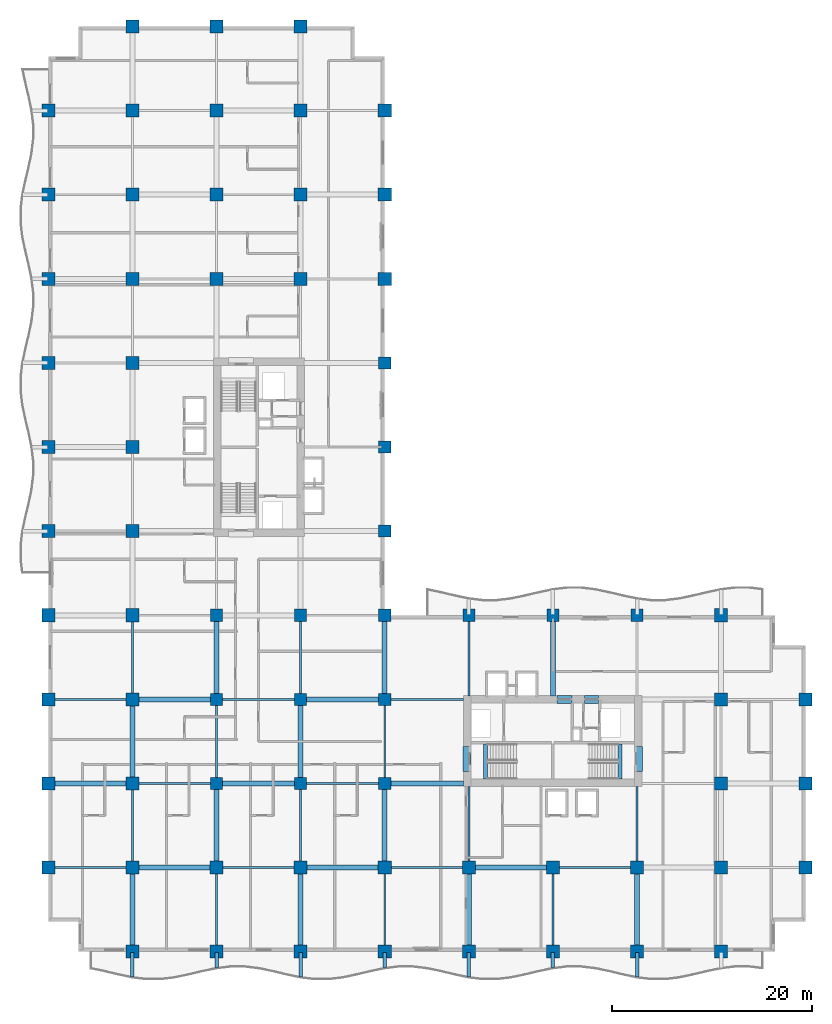
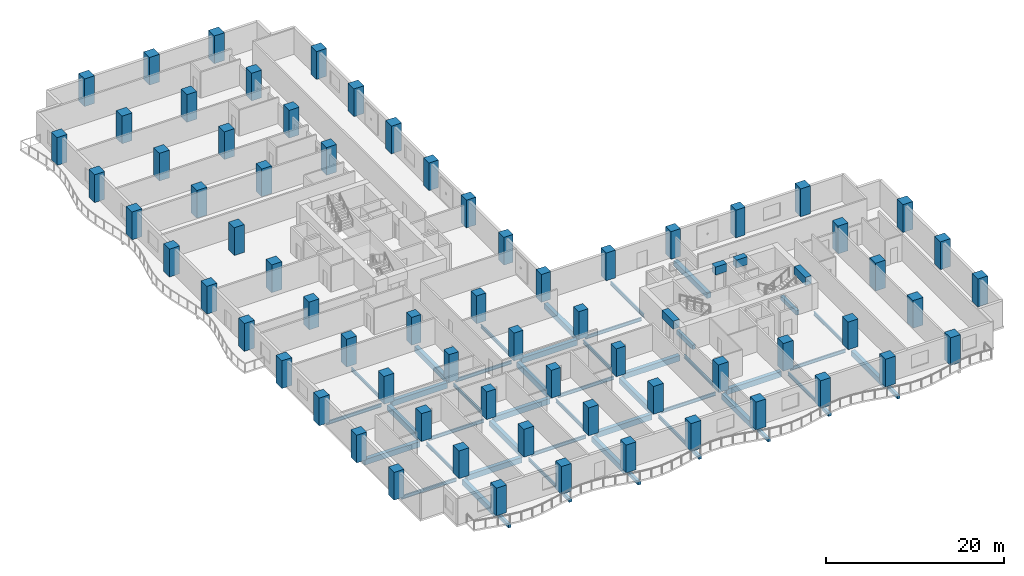
# One storey, part 1 of 18: 68 columns, 53 beams.
"""IFC4 building model written with IfcOpenShell, lengths in metres."""

from ifc_helpers import new_model, si_unit, direction, frame, origin, origin_2d, place, context, subcontext, project, spatial, rectangle, i_section, extrude, material, material_profile, profile_set, type_object, element, save


model = new_model("IFC4")

# Units and contexts
model_context = context("Model", 3, precision=1e-05, world=origin(), true_north=direction((0.0, 1.0)))
body_context = subcontext(model_context, "Body", "Model", "MODEL_VIEW")
ifc_project = project(units=[si_unit("LENGTHUNIT", "METRE"), si_unit("AREAUNIT", "SQUARE_METRE"), si_unit("VOLUMEUNIT", "CUBIC_METRE"), si_unit("PLANEANGLEUNIT", "RADIAN"), si_unit("MASSUNIT", "GRAM", prefix="KILO")], contexts=[model_context])

# Site, building, storey
site_placement = place(None, origin())
site = spatial("IfcSite", under=ifc_project, at=site_placement, CompositionType="ELEMENT")
building_placement = place(site_placement, origin())
building = spatial("IfcBuilding", under=site, at=building_placement, Name="Koriwani Terraces Tower", CompositionType="ELEMENT")
storey_placement = place(building_placement, frame((0.0, 0.0, 107.60009765625)))
storey = spatial("IfcBuildingStorey", under=building, at=storey_placement, Name="L25", CompositionType="ELEMENT", Elevation=107.60009765625)

# Columns
ifc_material_1 = material(Name="Concrete C60/75", Category="concrete")
ifc_material_profile_1 = material_profile(ifc_material_1, rectangle(XDim=1.199951171875, YDim=1.199951171875, at=origin_2d()), Name="Concrete C60/75", Category="LoadBearing")
ifc_profile_set_1 = profile_set([ifc_material_profile_1], Name="Concrete C60/75")
column_type_1 = type_object("IfcColumnType", Name="COL_RC_1200X1200", PredefinedType="COLUMN", material=ifc_profile_set_1)
for number, where, z_axis, x_axis, name in (
    (1, (16.800048828125, 16.800048828125, 0.0), (0.0, 0.0, 1.0), (1.0, 0.0, 0.0), "L25 Column 3/C"),
    (2, (16.800048828125, 25.199951171875, 0.0), (0.0, 0.0, 1.0), (1.0, 0.0, 0.0), "L25 Column 3/D"),
    (3, (16.800048828125, 33.60009765625, 0.0), (0.0, 0.0, 1.0), (1.0, 0.0, 0.0), "L25 Column 3/E"),
    (4, (25.199951171875, 16.800048828125, 0.0), (0.0, 0.0, 1.0), (1.0, 0.0, 0.0), "L25 Column 4/C"),
    (5, (25.199951171875, 25.199951171875, 0.0), (0.0, 0.0, 1.0), (1.0, 0.0, 0.0), "L25 Column 4/D"),
    (6, (25.199951171875, 33.60009765625, 0.0), (0.0, 0.0, 1.0), (1.0, 0.0, 0.0), "L25 Column 4/E"),
    (7, (33.60009765625, 16.800048828125, 0.0), (0.0, 0.0, 1.0), (1.0, 0.0, 0.0), "L25 Column 5/C"),
    (8, (33.60009765625, 25.199951171875, 0.0), (0.0, 0.0, 1.0), (1.0, 0.0, 0.0), "L25 Column 5/D"),
    (9, (33.60009765625, 33.60009765625, 0.0), (0.0, 0.0, 1.0), (1.0, 0.0, 0.0), "L25 Column 5/E"),
    (10, (33.60009765625, 42.0, 0.0), (0.0, 0.0, 1.0), (1.0, 0.0, 0.0), "L25 Column 5/F"),
    (11, (33.60009765625, 50.39990234375, 0.0), (0.0, 0.0, 1.0), (1.0, 0.0, 0.0), "L25 Column 5/G"),
    (12, (33.60009765625, 58.800048828125, 0.0), (0.0, 0.0, 1.0), (1.0, 0.0, 0.0), "L25 Column 5/H"),
    (13, (42.0, 33.60009765625, 0.0), (0.0, 0.0, 1.0), (1.0, 0.0, 0.0), "L25 Column 6/E"),
    (14, (50.39990234375, 33.60009765625, 0.0), (0.0, 0.0, 1.0), (1.0, 0.0, 0.0), "L25 Column 7/E"),
    (15, (58.800048828125, 33.60009765625, 0.0), (0.0, 0.0, 1.0), (1.0, 0.0, 0.0), "L25 Column 8/E"),
):
    element("IfcColumn", number, at=place(storey_placement, frame(where, z_axis=z_axis, x_axis=x_axis)), inside=storey, type_object=column_type_1, Name=name, PredefinedType="COLUMN", context=body_context, shape_type="SweptSolid", body=[
        extrude(rectangle(XDim=1.199951171875, YDim=1.199951171875, at=origin_2d()), origin(), (0.0, 0.0, 1.0), 3.7998046875),
    ])
ifc_material_profile_2 = material_profile(ifc_material_1, rectangle(XDim=1.300048828125, YDim=1.300048828125, at=origin_2d()), Name="Concrete C60/75", Category="LoadBearing")
ifc_profile_set_2 = profile_set([ifc_material_profile_2], Name="Concrete C60/75")
column_type_2 = type_object("IfcColumnType", Name="COL_RC_1300X1300", PredefinedType="COLUMN", material=ifc_profile_set_2)
for number, where, z_axis, x_axis, name in (
    (16, (0.0, 8.39990234375, 0.0), (0.0, 0.0, 1.0), (1.0, 0.0, 0.0), "L25 Column 1/B"),
    (17, (0.0, 16.800048828125, 0.0), (0.0, 0.0, 1.0), (1.0, 0.0, 0.0), "L25 Column 1/C"),
    (18, (0.0, 25.199951171875, 0.0), (0.0, 0.0, 1.0), (1.0, 0.0, 0.0), "L25 Column 1/D"),
    (19, (0.0, 33.60009765625, 0.0), (0.0, 0.0, 1.0), (1.0, 0.0, 0.0), "L25 Column 1/E"),
    (20, (0.0, 42.0, 0.0), (0.0, 0.0, 1.0), (1.0, 0.0, 0.0), "L25 Column 1/F"),
    (21, (0.0, 50.39990234375, 0.0), (0.0, 0.0, 1.0), (1.0, 0.0, 0.0), "L25 Column 1/G"),
    (22, (0.0, 58.800048828125, 0.0), (0.0, 0.0, 1.0), (1.0, 0.0, 0.0), "L25 Column 1/H"),
    (23, (0.0, 67.199951171875, 0.0), (0.0, 0.0, 1.0), (1.0, 0.0, 0.0), "L25 Column 1/I"),
    (24, (0.0, 75.60009765625, 0.0), (0.0, 0.0, 1.0), (1.0, 0.0, 0.0), "L25 Column 1/J"),
    (25, (0.0, 84.0, 0.0), (0.0, 0.0, 1.0), (1.0, 0.0, 0.0), "L25 Column 1/K"),
    (26, (8.39990234375, 0.0, 0.0), (0.0, 0.0, 1.0), (1.0, 0.0, 0.0), "L25 Column 2/A"),
    (27, (8.39990234375, 8.39990234375, 0.0), (0.0, 0.0, 1.0), (1.0, 0.0, 0.0), "L25 Column 2/B"),
    (28, (8.39990234375, 16.800048828125, 0.0), (0.0, 0.0, 1.0), (1.0, 0.0, 0.0), "L25 Column 2/C"),
    (29, (8.39990234375, 25.199951171875, 0.0), (0.0, 0.0, 1.0), (1.0, 0.0, 0.0), "L25 Column 2/D"),
    (30, (8.39990234375, 33.60009765625, 0.0), (0.0, 0.0, 1.0), (1.0, 0.0, 0.0), "L25 Column 2/E"),
    (31, (8.39990234375, 42.0, 0.0), (0.0, 0.0, 1.0), (1.0, 0.0, 0.0), "L25 Column 2/F"),
    (32, (8.39990234375, 50.39990234375, 0.0), (0.0, 0.0, 1.0), (1.0, 0.0, 0.0), "L25 Column 2/G"),
    (33, (8.39990234375, 58.800048828125, 0.0), (0.0, 0.0, 1.0), (1.0, 0.0, 0.0), "L25 Column 2/H"),
    (34, (8.39990234375, 67.199951171875, 0.0), (0.0, 0.0, 1.0), (1.0, 0.0, 0.0), "L25 Column 2/I"),
    (35, (8.39990234375, 75.60009765625, 0.0), (0.0, 0.0, 1.0), (1.0, 0.0, 0.0), "L25 Column 2/J"),
    (36, (8.39990234375, 84.0, 0.0), (0.0, 0.0, 1.0), (1.0, 0.0, 0.0), "L25 Column 2/K"),
    (37, (8.39990234375, 92.39990234375, 0.0), (0.0, 0.0, 1.0), (1.0, 0.0, 0.0), "L25 Column 2/L"),
    (38, (16.800048828125, 0.0, 0.0), (0.0, 0.0, 1.0), (1.0, 0.0, 0.0), "L25 Column 3/A"),
    (39, (16.800048828125, 8.39990234375, 0.0), (0.0, 0.0, 1.0), (1.0, 0.0, 0.0), "L25 Column 3/B"),
    (40, (16.800048828125, 67.199951171875, 0.0), (0.0, 0.0, 1.0), (1.0, 0.0, 0.0), "L25 Column 3/I"),
    (41, (16.800048828125, 75.60009765625, 0.0), (0.0, 0.0, 1.0), (1.0, 0.0, 0.0), "L25 Column 3/J"),
    (42, (16.800048828125, 84.0, 0.0), (0.0, 0.0, 1.0), (1.0, 0.0, 0.0), "L25 Column 3/K"),
    (43, (16.800048828125, 92.39990234375, 0.0), (0.0, 0.0, 1.0), (1.0, 0.0, 0.0), "L25 Column 3/L"),
    (44, (25.199951171875, 0.0, 0.0), (0.0, 0.0, 1.0), (1.0, 0.0, 0.0), "L25 Column 4/A"),
    (45, (25.199951171875, 8.39990234375, 0.0), (0.0, 0.0, 1.0), (1.0, 0.0, 0.0), "L25 Column 4/B"),
    (46, (25.199951171875, 67.199951171875, 0.0), (0.0, 0.0, 1.0), (1.0, 0.0, 0.0), "L25 Column 4/I"),
    (47, (25.199951171875, 75.60009765625, 0.0), (0.0, 0.0, 1.0), (1.0, 0.0, 0.0), "L25 Column 4/J"),
    (48, (25.199951171875, 84.0, 0.0), (0.0, 0.0, 1.0), (1.0, 0.0, 0.0), "L25 Column 4/K"),
    (49, (25.199951171875, 92.39990234375, 0.0), (0.0, 0.0, 1.0), (1.0, 0.0, 0.0), "L25 Column 4/L"),
    (50, (33.60009765625, 0.0, 0.0), (0.0, 0.0, 1.0), (1.0, 0.0, 0.0), "L25 Column 5/A"),
    (51, (33.60009765625, 8.39990234375, 0.0), (0.0, 0.0, 1.0), (1.0, 0.0, 0.0), "L25 Column 5/B"),
    (52, (33.60009765625, 67.199951171875, 0.0), (0.0, 0.0, 1.0), (1.0, 0.0, 0.0), "L25 Column 5/I"),
    (53, (33.60009765625, 75.60009765625, 0.0), (0.0, 0.0, 1.0), (1.0, 0.0, 0.0), "L25 Column 5/J"),
    (54, (33.60009765625, 84.0, 0.0), (0.0, 0.0, 1.0), (1.0, 0.0, 0.0), "L25 Column 5/K"),
    (55, (42.0, 0.0, 0.0), (0.0, 0.0, 1.0), (1.0, 0.0, 0.0), "L25 Column 6/A"),
    (56, (42.0, 8.39990234375, 0.0), (0.0, 0.0, 1.0), (1.0, 0.0, 0.0), "L25 Column 6/B"),
    (57, (50.39990234375, 0.0, 0.0), (0.0, 0.0, 1.0), (1.0, 0.0, 0.0), "L25 Column 7/A"),
    (58, (50.39990234375, 8.39990234375, 0.0), (0.0, 0.0, 1.0), (1.0, 0.0, 0.0), "L25 Column 7/B"),
    (59, (58.800048828125, 0.0, 0.0), (0.0, 0.0, 1.0), (1.0, 0.0, 0.0), "L25 Column 8/A"),
    (60, (58.800048828125, 8.39990234375, 0.0), (0.0, 0.0, 1.0), (1.0, 0.0, 0.0), "L25 Column 8/B"),
    (61, (67.199951171875, 0.0, 0.0), (0.0, 0.0, 1.0), (1.0, 0.0, 0.0), "L25 Column 9/A"),
    (62, (67.199951171875, 8.39990234375, 0.0), (0.0, 0.0, 1.0), (1.0, 0.0, 0.0), "L25 Column 9/B"),
    (63, (67.199951171875, 16.800048828125, 0.0), (0.0, 0.0, 1.0), (1.0, 0.0, 0.0), "L25 Column 9/C"),
    (64, (67.199951171875, 25.199951171875, 0.0), (0.0, 0.0, 1.0), (1.0, 0.0, 0.0), "L25 Column 9/D"),
    (65, (67.199951171875, 33.60009765625, 0.0), (0.0, 0.0, 1.0), (1.0, 0.0, 0.0), "L25 Column 9/E"),
    (66, (75.60009765625, 8.39990234375, 0.0), (0.0, 0.0, 1.0), (1.0, 0.0, 0.0), "L25 Column 10/B"),
    (67, (75.60009765625, 16.800048828125, 0.0), (0.0, 0.0, 1.0), (1.0, 0.0, 0.0), "L25 Column 10/C"),
    (68, (75.60009765625, 25.199951171875, 0.0), (0.0, 0.0, 1.0), (1.0, 0.0, 0.0), "L25 Column 10/D"),
):
    element("IfcColumn", number, at=place(storey_placement, frame(where, z_axis=z_axis, x_axis=x_axis)), inside=storey, type_object=column_type_2, Name=name, PredefinedType="COLUMN", context=body_context, shape_type="SweptSolid", body=[
        extrude(rectangle(XDim=1.300048828125, YDim=1.300048828125, at=origin_2d()), origin(), (0.0, 0.0, 1.0), 3.7998046875),
    ])

# Beams
ifc_material_2 = material(Name="Concrete C40/50", Category="concrete")
ifc_material_profile_3 = material_profile(ifc_material_2, rectangle(XDim=0.35009765625, YDim=0.449951171875, at=origin_2d()), Name="Concrete C40/50", Category="LoadBearing")
ifc_profile_set_3 = profile_set([ifc_material_profile_3], Name="Concrete C40/50")
beam_type_1 = type_object("IfcBeamType", Name="BEAM_RC_BALCONY_RIB_350X450", PredefinedType="JOIST", material=ifc_profile_set_3)
beam_1_placement = place(storey_placement, frame((8.39990234375, -2.509521484375, -0.47509765625), z_axis=(0.0, 1.0, 0.0), x_axis=(-1.0, 0.0, 0.0)))
element("IfcBeam", 69, at=beam_1_placement, inside=storey, type_object=beam_type_1, Name="L25 Balcony Bracket Rib S-1", PredefinedType="JOIST", context=body_context, shape_type="SweptSolid", body=[
    extrude(rectangle(XDim=0.35009765625, YDim=0.449951171875, at=origin_2d()), origin(), (0.0, 0.0, 1.0), 2.409423828125),
])
beam_2_placement = place(storey_placement, frame((16.800048828125, -1.59033203125, -0.47509765625), z_axis=(0.0, 1.0, 0.0), x_axis=(-1.0, 0.0, 0.0)))
element("IfcBeam", 70, at=beam_2_placement, inside=storey, type_object=beam_type_1, Name="L25 Balcony Bracket Rib S-2", PredefinedType="JOIST", context=body_context, shape_type="SweptSolid", body=[
    extrude(rectangle(XDim=0.35009765625, YDim=0.449951171875, at=origin_2d()), origin(), (0.0, 0.0, 1.0), 1.490234375),
])
beam_3_placement = place(storey_placement, frame((25.199951171875, -2.509521484375, -0.47509765625), z_axis=(0.0, 1.0, 0.0), x_axis=(-1.0, 0.0, 0.0)))
element("IfcBeam", 71, at=beam_3_placement, inside=storey, type_object=beam_type_1, Name="L25 Balcony Bracket Rib S-3", PredefinedType="JOIST", context=body_context, shape_type="SweptSolid", body=[
    extrude(rectangle(XDim=0.35009765625, YDim=0.449951171875, at=origin_2d()), origin(), (0.0, 0.0, 1.0), 2.409423828125),
])
beam_4_placement = place(storey_placement, frame((33.60009765625, -1.59033203125, -0.47509765625), z_axis=(0.0, 1.0, 0.0), x_axis=(-1.0, 0.0, 0.0)))
element("IfcBeam", 72, at=beam_4_placement, inside=storey, type_object=beam_type_1, Name="L25 Balcony Bracket Rib S-4", PredefinedType="JOIST", context=body_context, shape_type="SweptSolid", body=[
    extrude(rectangle(XDim=0.35009765625, YDim=0.449951171875, at=origin_2d()), origin(), (0.0, 0.0, 1.0), 1.490234375),
])
beam_5_placement = place(storey_placement, frame((42.0, -2.509521484375, -0.47509765625), z_axis=(0.0, 1.0, 0.0), x_axis=(-1.0, 0.0, 0.0)))
element("IfcBeam", 73, at=beam_5_placement, inside=storey, type_object=beam_type_1, Name="L25 Balcony Bracket Rib S-5", PredefinedType="JOIST", context=body_context, shape_type="SweptSolid", body=[
    extrude(rectangle(XDim=0.35009765625, YDim=0.449951171875, at=origin_2d()), origin(), (0.0, 0.0, 1.0), 2.409423828125),
])
beam_6_placement = place(storey_placement, frame((50.39990234375, -1.59033203125, -0.47509765625), z_axis=(0.0, 1.0, 0.0), x_axis=(-1.0, 0.0, 0.0)))
element("IfcBeam", 74, at=beam_6_placement, inside=storey, type_object=beam_type_1, Name="L25 Balcony Bracket Rib S-6", PredefinedType="JOIST", context=body_context, shape_type="SweptSolid", body=[
    extrude(rectangle(XDim=0.35009765625, YDim=0.449951171875, at=origin_2d()), origin(), (0.0, 0.0, 1.0), 1.490234375),
])
beam_7_placement = place(storey_placement, frame((58.800048828125, -2.509521484375, -0.47509765625), z_axis=(0.0, 1.0, 0.0), x_axis=(-1.0, 0.0, 0.0)))
element("IfcBeam", 75, at=beam_7_placement, inside=storey, type_object=beam_type_1, Name="L25 Balcony Bracket Rib S-7", PredefinedType="JOIST", context=body_context, shape_type="SweptSolid", body=[
    extrude(rectangle(XDim=0.35009765625, YDim=0.449951171875, at=origin_2d()), origin(), (0.0, 0.0, 1.0), 2.409423828125),
])
ifc_material_profile_4 = material_profile(ifc_material_1, rectangle(XDim=0.800048828125, YDim=1.10009765625, at=origin_2d()), Name="Concrete C60/75", Category="LoadBearing")
ifc_profile_set_4 = profile_set([ifc_material_profile_4], Name="Concrete C60/75")
beam_type_2 = type_object("IfcBeamType", Name="BEAM_RC_COUPLING_800X1100", PredefinedType="LINTEL", material=ifc_profile_set_4)
beam_8_placement = place(storey_placement, frame((50.800048828125, 25.199951171875, 3.0), z_axis=(1.0, 0.0, 0.0), x_axis=(0.0, 1.0, 0.0)))
element("IfcBeam", 76, at=beam_8_placement, inside=storey, type_object=beam_type_2, Name="L25 Core Coupling Lintel Beam EN1", PredefinedType="LINTEL", context=body_context, shape_type="SweptSolid", body=[
    extrude(rectangle(XDim=0.800048828125, YDim=1.10009765625, at=origin_2d()), origin(), (0.0, 0.0, 1.0), 1.47998046875),
])
beam_9_placement = place(storey_placement, frame((53.550048828125, 25.199951171875, 3.0), z_axis=(1.0, 0.0, 0.0), x_axis=(0.0, 1.0, 0.0)))
element("IfcBeam", 77, at=beam_9_placement, inside=storey, type_object=beam_type_2, Name="L25 Core Coupling Lintel Beam EN2", PredefinedType="LINTEL", context=body_context, shape_type="SweptSolid", body=[
    extrude(rectangle(XDim=0.800048828125, YDim=1.10009765625, at=origin_2d()), origin(), (0.0, 0.0, 1.0), 1.39990234375),
])
for number, where, z_axis, x_axis, name in (
    (78, (41.824951171875, 18.0, 3.0), (0.0, 1.0, 0.0), (-1.0, 0.0, 0.0), "L25 Core Coupling Lintel Beam EW"),
    (79, (58.925048828125, 18.0, 3.0), (0.0, 1.0, 0.0), (-1.0, 0.0, 0.0), "L25 Core Coupling Lintel Beam EE"),
):
    element("IfcBeam", number, at=place(storey_placement, frame(where, z_axis=z_axis, x_axis=x_axis)), inside=storey, type_object=beam_type_2, Name=name, PredefinedType="LINTEL", context=body_context, shape_type="SweptSolid", body=[
        extrude(rectangle(XDim=0.800048828125, YDim=1.10009765625, at=origin_2d()), origin(), (0.0, 0.0, 1.0), 2.5),
    ])
ifc_material_profile_5 = material_profile(ifc_material_2, rectangle(XDim=0.39990234375, YDim=0.60009765625, at=origin_2d()), Name="Concrete C40/50", Category="LoadBearing")
ifc_profile_set_5 = profile_set([ifc_material_profile_5], Name="Concrete C40/50")
beam_type_3 = type_object("IfcBeamType", Name="BEAM_RC_GRID_400X600", PredefinedType="BEAM", material=ifc_profile_set_5)
for number, where, z_axis, x_axis, name in (
    (80, (43.655029296875, 17.25, -0.300048828125), (0.0, 1.0, 0.0), (-1.0, 0.0, 0.0), "L25 Stairwell Header Trimmer Beam ST-E1"),
    (81, (57.094970703125, 17.25, -0.300048828125), (0.0, 1.0, 0.0), (-1.0, 0.0, 0.0), "L25 Stairwell Header Trimmer Beam ST-E2"),
):
    element("IfcBeam", number, at=place(storey_placement, frame(where, z_axis=z_axis, x_axis=x_axis)), inside=storey, type_object=beam_type_3, Name=name, PredefinedType="BEAM", context=body_context, shape_type="SweptSolid", body=[
        extrude(rectangle(XDim=0.39990234375, YDim=0.60009765625, at=origin_2d()), origin(), (0.0, 0.0, 1.0), 3.5),
    ])
ifc_material_3 = material(Name="Concrete C50/60", Category="concrete")
ifc_material_profile_6 = material_profile(ifc_material_3, rectangle(XDim=0.5, YDim=0.75, at=origin_2d()), Name="Concrete C50/60", Category="LoadBearing")
ifc_profile_set_6 = profile_set([ifc_material_profile_6], Name="Concrete C50/60")
beam_type_4 = type_object("IfcBeamType", Name="BEAM_RC_GRID_500X750", PredefinedType="BEAM", material=ifc_profile_set_6)
for number, where, z_axis, x_axis, name in (
    (82, (9.030029296875, 8.39990234375, -0.625), (1.0, 0.0, 0.0), (0.0, 1.0, 0.0), "L25 Grid Beam B (8.4-16.8m)"),
    (83, (25.830078125, 8.39990234375, -0.625), (1.0, 0.0, 0.0), (0.0, 1.0, 0.0), "L25 Grid Beam B (25.2-33.6m)"),
):
    element("IfcBeam", number, at=place(storey_placement, frame(where, z_axis=z_axis, x_axis=x_axis)), inside=storey, type_object=beam_type_4, Name=name, PredefinedType="BEAM", context=body_context, shape_type="SweptSolid", body=[
        extrude(rectangle(XDim=0.5, YDim=0.75, at=origin_2d()), origin(), (0.0, 0.0, 1.0), 7.139892578125),
    ])
for number, where, z_axis, x_axis, name in (
    (84, (42.6298828125, 8.39990234375, -0.625), (1.0, 0.0, 0.0), (0.0, 1.0, 0.0), "L25 Grid Beam B (42.0-50.4m)"),
    (85, (0.6298828125, 16.800048828125, -0.625), (1.0, 0.0, 0.0), (0.0, 1.0, 0.0), "L25 Grid Beam C (0.0-8.4m)"),
):
    element("IfcBeam", number, at=place(storey_placement, frame(where, z_axis=z_axis, x_axis=x_axis)), inside=storey, type_object=beam_type_4, Name=name, PredefinedType="BEAM", context=body_context, shape_type="SweptSolid", body=[
        extrude(rectangle(XDim=0.5, YDim=0.75, at=origin_2d()), origin(), (0.0, 0.0, 1.0), 7.14013671875),
    ])
beam_10_placement = place(storey_placement, frame((17.3798828125, 16.800048828125, -0.625), z_axis=(1.0, 0.0, 0.0), x_axis=(0.0, 1.0, 0.0)))
element("IfcBeam", 86, at=beam_10_placement, inside=storey, type_object=beam_type_4, Name="L25 Grid Beam C (16.8-25.2m)", PredefinedType="BEAM", context=body_context, shape_type="SweptSolid", body=[
    extrude(rectangle(XDim=0.5, YDim=0.75, at=origin_2d()), origin(), (0.0, 0.0, 1.0), 7.240234375),
])
beam_11_placement = place(storey_placement, frame((34.179931640625, 16.800048828125, -0.625), z_axis=(1.0, 0.0, 0.0), x_axis=(0.0, 1.0, 0.0)))
element("IfcBeam", 87, at=beam_11_placement, inside=storey, type_object=beam_type_4, Name="L25 Grid Beam C (33.6-42.0m)", PredefinedType="BEAM", context=body_context, shape_type="SweptSolid", body=[
    extrude(rectangle(XDim=0.5, YDim=0.75, at=origin_2d()), origin(), (0.0, 0.0, 1.0), 7.2900390625),
])
beam_12_placement = place(storey_placement, frame((9.030029296875, 25.199951171875, -0.625), z_axis=(1.0, 0.0, 0.0), x_axis=(0.0, 1.0, 0.0)))
element("IfcBeam", 88, at=beam_12_placement, inside=storey, type_object=beam_type_4, Name="L25 Grid Beam D (8.4-16.8m)", PredefinedType="BEAM", context=body_context, shape_type="SweptSolid", body=[
    extrude(rectangle(XDim=0.5, YDim=0.75, at=origin_2d()), origin(), (0.0, 0.0, 1.0), 7.18994140625),
])
beam_13_placement = place(storey_placement, frame((25.780029296875, 25.199951171875, -0.625), z_axis=(1.0, 0.0, 0.0), x_axis=(0.0, 1.0, 0.0)))
element("IfcBeam", 89, at=beam_13_placement, inside=storey, type_object=beam_type_4, Name="L25 Grid Beam D (25.2-33.6m)", PredefinedType="BEAM", context=body_context, shape_type="SweptSolid", body=[
    extrude(rectangle(XDim=0.5, YDim=0.75, at=origin_2d()), origin(), (0.0, 0.0, 1.0), 7.239990234375),
])
for number, where, z_axis, x_axis, name in (
    (90, (8.39990234375, 0.6298828125, -0.625), (0.0, 1.0, 0.0), (-1.0, 0.0, 0.0), "L25 Grid Beam 2 (0.0-8.4m)"),
    (91, (8.39990234375, 17.429931640625, -0.625), (0.0, 1.0, 0.0), (-1.0, 0.0, 0.0), "L25 Grid Beam 2 (16.8-25.2m)"),
):
    element("IfcBeam", number, at=place(storey_placement, frame(where, z_axis=z_axis, x_axis=x_axis)), inside=storey, type_object=beam_type_4, Name=name, PredefinedType="BEAM", context=body_context, shape_type="SweptSolid", body=[
        extrude(rectangle(XDim=0.5, YDim=0.75, at=origin_2d()), origin(), (0.0, 0.0, 1.0), 7.14013671875),
    ])
beam_14_placement = place(storey_placement, frame((16.800048828125, 9.030029296875, -0.625), z_axis=(0.0, 1.0, 0.0), x_axis=(-1.0, 0.0, 0.0)))
element("IfcBeam", 92, at=beam_14_placement, inside=storey, type_object=beam_type_4, Name="L25 Grid Beam 3 (8.4-16.8m)", PredefinedType="BEAM", context=body_context, shape_type="SweptSolid", body=[
    extrude(rectangle(XDim=0.5, YDim=0.75, at=origin_2d()), origin(), (0.0, 0.0, 1.0), 7.18994140625),
])
beam_15_placement = place(storey_placement, frame((16.800048828125, 25.780029296875, -0.625), z_axis=(0.0, 1.0, 0.0), x_axis=(-1.0, 0.0, 0.0)))
element("IfcBeam", 93, at=beam_15_placement, inside=storey, type_object=beam_type_4, Name="L25 Grid Beam 3 (25.2-33.6m)", PredefinedType="BEAM", context=body_context, shape_type="SweptSolid", body=[
    extrude(rectangle(XDim=0.5, YDim=0.75, at=origin_2d()), origin(), (0.0, 0.0, 1.0), 7.239990234375),
])
beam_16_placement = place(storey_placement, frame((25.199951171875, 0.6298828125, -0.625), z_axis=(0.0, 1.0, 0.0), x_axis=(-1.0, 0.0, 0.0)))
element("IfcBeam", 94, at=beam_16_placement, inside=storey, type_object=beam_type_4, Name="L25 Grid Beam 4 (0.0-8.4m)", PredefinedType="BEAM", context=body_context, shape_type="SweptSolid", body=[
    extrude(rectangle(XDim=0.5, YDim=0.75, at=origin_2d()), origin(), (0.0, 0.0, 1.0), 7.14013671875),
])
beam_17_placement = place(storey_placement, frame((25.199951171875, 17.3798828125, -0.625), z_axis=(0.0, 1.0, 0.0), x_axis=(-1.0, 0.0, 0.0)))
element("IfcBeam", 95, at=beam_17_placement, inside=storey, type_object=beam_type_4, Name="L25 Grid Beam 4 (16.8-25.2m)", PredefinedType="BEAM", context=body_context, shape_type="SweptSolid", body=[
    extrude(rectangle(XDim=0.5, YDim=0.75, at=origin_2d()), origin(), (0.0, 0.0, 1.0), 7.240234375),
])
beam_18_placement = place(storey_placement, frame((33.60009765625, 9.030029296875, -0.625), z_axis=(0.0, 1.0, 0.0), x_axis=(-1.0, 0.0, 0.0)))
element("IfcBeam", 96, at=beam_18_placement, inside=storey, type_object=beam_type_4, Name="L25 Grid Beam 5 (8.4-16.8m)", PredefinedType="BEAM", context=body_context, shape_type="SweptSolid", body=[
    extrude(rectangle(XDim=0.5, YDim=0.75, at=origin_2d()), origin(), (0.0, 0.0, 1.0), 7.18994140625),
])
beam_19_placement = place(storey_placement, frame((33.60009765625, 25.780029296875, -0.625), z_axis=(0.0, 1.0, 0.0), x_axis=(-1.0, 0.0, 0.0)))
element("IfcBeam", 97, at=beam_19_placement, inside=storey, type_object=beam_type_4, Name="L25 Grid Beam 5 (25.2-33.6m)", PredefinedType="BEAM", context=body_context, shape_type="SweptSolid", body=[
    extrude(rectangle(XDim=0.5, YDim=0.75, at=origin_2d()), origin(), (0.0, 0.0, 1.0), 7.239990234375),
])
beam_20_placement = place(storey_placement, frame((42.0, 0.6298828125, -0.625), z_axis=(0.0, 1.0, 0.0), x_axis=(-1.0, 0.0, 0.0)))
element("IfcBeam", 98, at=beam_20_placement, inside=storey, type_object=beam_type_4, Name="L25 Grid Beam 6 (0.0-8.4m)", PredefinedType="BEAM", context=body_context, shape_type="SweptSolid", body=[
    extrude(rectangle(XDim=0.5, YDim=0.75, at=origin_2d()), origin(), (0.0, 0.0, 1.0), 7.14013671875),
])
beam_21_placement = place(storey_placement, frame((50.39990234375, 25.554931640625, -0.625), z_axis=(0.0, 1.0, 0.0), x_axis=(-1.0, 0.0, 0.0)))
element("IfcBeam", 99, at=beam_21_placement, inside=storey, type_object=beam_type_4, Name="L25 Grid Beam 7 (25.2-33.6m)", PredefinedType="BEAM", context=body_context, shape_type="SweptSolid", body=[
    extrude(rectangle(XDim=0.5, YDim=0.75, at=origin_2d()), origin(), (0.0, 0.0, 1.0), 7.465087890625),
])
beam_22_placement = place(storey_placement, frame((58.800048828125, 0.6298828125, -0.625), z_axis=(0.0, 1.0, 0.0), x_axis=(-1.0, 0.0, 0.0)))
element("IfcBeam", 100, at=beam_22_placement, inside=storey, type_object=beam_type_4, Name="L25 Grid Beam 8 (0.0-8.4m)", PredefinedType="BEAM", context=body_context, shape_type="SweptSolid", body=[
    extrude(rectangle(XDim=0.5, YDim=0.75, at=origin_2d()), origin(), (0.0, 0.0, 1.0), 7.14013671875),
])
ifc_material_4 = material(Name="Steel ASTM A572 Grade 50", Category="steel")
ifc_material_profile_7 = material_profile(ifc_material_4, i_section(OverallWidth=0.19189453125, OverallDepth=0.462890625, WebThickness=0.010498046875, FlangeThickness=0.01611328125, at=origin_2d()), Name="Steel ASTM A572 Grade 50", Category="LoadBearing")
ifc_profile_set_7 = profile_set([ifc_material_profile_7], Name="Steel ASTM A572 Grade 50")
beam_type_5 = type_object("IfcBeamType", Name="STEEL_BEAM_W460X89", PredefinedType="BEAM", material=ifc_profile_set_7)
for number, where, z_axis, x_axis, name in (
    (101, (0.6298828125, 8.39990234375, -0.481689453125), (1.0, 0.0, 0.0), (0.0, 1.0, 0.0), "L25 Grid Beam B (0.0-8.4m)"),
    (102, (17.429931640625, 8.39990234375, -0.481689453125), (1.0, 0.0, 0.0), (0.0, 1.0, 0.0), "L25 Grid Beam B (16.8-25.2m)"),
    (103, (34.22998046875, 8.39990234375, -0.481689453125), (1.0, 0.0, 0.0), (0.0, 1.0, 0.0), "L25 Grid Beam B (33.6-42.0m)"),
):
    element("IfcBeam", number, at=place(storey_placement, frame(where, z_axis=z_axis, x_axis=x_axis)), inside=storey, type_object=beam_type_5, Name=name, PredefinedType="BEAM", context=body_context, shape_type="SweptSolid", body=[
        extrude(i_section(OverallWidth=0.19189453125, OverallDepth=0.462890625, WebThickness=0.010498046875, FlangeThickness=0.01611328125, at=origin_2d()), origin(), (0.0, 0.0, 1.0), 7.14013671875),
    ])
beam_23_placement = place(storey_placement, frame((51.030029296875, 8.39990234375, -0.481689453125), z_axis=(1.0, 0.0, 0.0), x_axis=(0.0, 1.0, 0.0)))
element("IfcBeam", 104, at=beam_23_placement, inside=storey, type_object=beam_type_5, Name="L25 Grid Beam B (50.4-58.8m)", PredefinedType="BEAM", context=body_context, shape_type="SweptSolid", body=[
    extrude(i_section(OverallWidth=0.19189453125, OverallDepth=0.462890625, WebThickness=0.010498046875, FlangeThickness=0.01611328125, at=origin_2d()), origin(), (0.0, 0.0, 1.0), 7.139892578125),
])
beam_24_placement = place(storey_placement, frame((9.030029296875, 16.800048828125, -0.481689453125), z_axis=(1.0, 0.0, 0.0), x_axis=(0.0, 1.0, 0.0)))
element("IfcBeam", 105, at=beam_24_placement, inside=storey, type_object=beam_type_5, Name="L25 Grid Beam C (8.4-16.8m)", PredefinedType="BEAM", context=body_context, shape_type="SweptSolid", body=[
    extrude(i_section(OverallWidth=0.19189453125, OverallDepth=0.462890625, WebThickness=0.010498046875, FlangeThickness=0.01611328125, at=origin_2d()), origin(), (0.0, 0.0, 1.0), 7.18994140625),
])
beam_25_placement = place(storey_placement, frame((25.780029296875, 16.800048828125, -0.481689453125), z_axis=(1.0, 0.0, 0.0), x_axis=(0.0, 1.0, 0.0)))
element("IfcBeam", 106, at=beam_25_placement, inside=storey, type_object=beam_type_5, Name="L25 Grid Beam C (25.2-33.6m)", PredefinedType="BEAM", context=body_context, shape_type="SweptSolid", body=[
    extrude(i_section(OverallWidth=0.19189453125, OverallDepth=0.462890625, WebThickness=0.010498046875, FlangeThickness=0.01611328125, at=origin_2d()), origin(), (0.0, 0.0, 1.0), 7.239990234375),
])
beam_26_placement = place(storey_placement, frame((0.6298828125, 25.199951171875, -0.481689453125), z_axis=(1.0, 0.0, 0.0), x_axis=(0.0, 1.0, 0.0)))
element("IfcBeam", 107, at=beam_26_placement, inside=storey, type_object=beam_type_5, Name="L25 Grid Beam D (0.0-8.4m)", PredefinedType="BEAM", context=body_context, shape_type="SweptSolid", body=[
    extrude(i_section(OverallWidth=0.19189453125, OverallDepth=0.462890625, WebThickness=0.010498046875, FlangeThickness=0.01611328125, at=origin_2d()), origin(), (0.0, 0.0, 1.0), 7.14013671875),
])
beam_27_placement = place(storey_placement, frame((17.3798828125, 25.199951171875, -0.481689453125), z_axis=(1.0, 0.0, 0.0), x_axis=(0.0, 1.0, 0.0)))
element("IfcBeam", 108, at=beam_27_placement, inside=storey, type_object=beam_type_5, Name="L25 Grid Beam D (16.8-25.2m)", PredefinedType="BEAM", context=body_context, shape_type="SweptSolid", body=[
    extrude(i_section(OverallWidth=0.19189453125, OverallDepth=0.462890625, WebThickness=0.010498046875, FlangeThickness=0.01611328125, at=origin_2d()), origin(), (0.0, 0.0, 1.0), 7.240234375),
])
beam_28_placement = place(storey_placement, frame((34.179931640625, 25.199951171875, -0.481689453125), z_axis=(1.0, 0.0, 0.0), x_axis=(0.0, 1.0, 0.0)))
element("IfcBeam", 109, at=beam_28_placement, inside=storey, type_object=beam_type_5, Name="L25 Grid Beam D (33.6-42.0m)", PredefinedType="BEAM", context=body_context, shape_type="SweptSolid", body=[
    extrude(i_section(OverallWidth=0.19189453125, OverallDepth=0.462890625, WebThickness=0.010498046875, FlangeThickness=0.01611328125, at=origin_2d()), origin(), (0.0, 0.0, 1.0), 7.2900390625),
])
for number, where, z_axis, x_axis, name in (
    (110, (8.39990234375, 9.030029296875, -0.481689453125), (0.0, 1.0, 0.0), (-1.0, 0.0, 0.0), "L25 Grid Beam 2 (8.4-16.8m)"),
    (111, (8.39990234375, 25.830078125, -0.481689453125), (0.0, 1.0, 0.0), (-1.0, 0.0, 0.0), "L25 Grid Beam 2 (25.2-33.6m)"),
):
    element("IfcBeam", number, at=place(storey_placement, frame(where, z_axis=z_axis, x_axis=x_axis)), inside=storey, type_object=beam_type_5, Name=name, PredefinedType="BEAM", context=body_context, shape_type="SweptSolid", body=[
        extrude(i_section(OverallWidth=0.19189453125, OverallDepth=0.462890625, WebThickness=0.010498046875, FlangeThickness=0.01611328125, at=origin_2d()), origin(), (0.0, 0.0, 1.0), 7.139892578125),
    ])
beam_29_placement = place(storey_placement, frame((16.800048828125, 0.6298828125, -0.481689453125), z_axis=(0.0, 1.0, 0.0), x_axis=(-1.0, 0.0, 0.0)))
element("IfcBeam", 112, at=beam_29_placement, inside=storey, type_object=beam_type_5, Name="L25 Grid Beam 3 (0.0-8.4m)", PredefinedType="BEAM", context=body_context, shape_type="SweptSolid", body=[
    extrude(i_section(OverallWidth=0.19189453125, OverallDepth=0.462890625, WebThickness=0.010498046875, FlangeThickness=0.01611328125, at=origin_2d()), origin(), (0.0, 0.0, 1.0), 7.14013671875),
])
beam_30_placement = place(storey_placement, frame((16.800048828125, 17.3798828125, -0.481689453125), z_axis=(0.0, 1.0, 0.0), x_axis=(-1.0, 0.0, 0.0)))
element("IfcBeam", 113, at=beam_30_placement, inside=storey, type_object=beam_type_5, Name="L25 Grid Beam 3 (16.8-25.2m)", PredefinedType="BEAM", context=body_context, shape_type="SweptSolid", body=[
    extrude(i_section(OverallWidth=0.19189453125, OverallDepth=0.462890625, WebThickness=0.010498046875, FlangeThickness=0.01611328125, at=origin_2d()), origin(), (0.0, 0.0, 1.0), 7.240234375),
])
beam_31_placement = place(storey_placement, frame((25.199951171875, 9.030029296875, -0.481689453125), z_axis=(0.0, 1.0, 0.0), x_axis=(-1.0, 0.0, 0.0)))
element("IfcBeam", 114, at=beam_31_placement, inside=storey, type_object=beam_type_5, Name="L25 Grid Beam 4 (8.4-16.8m)", PredefinedType="BEAM", context=body_context, shape_type="SweptSolid", body=[
    extrude(i_section(OverallWidth=0.19189453125, OverallDepth=0.462890625, WebThickness=0.010498046875, FlangeThickness=0.01611328125, at=origin_2d()), origin(), (0.0, 0.0, 1.0), 7.18994140625),
])
beam_32_placement = place(storey_placement, frame((25.199951171875, 25.780029296875, -0.481689453125), z_axis=(0.0, 1.0, 0.0), x_axis=(-1.0, 0.0, 0.0)))
element("IfcBeam", 115, at=beam_32_placement, inside=storey, type_object=beam_type_5, Name="L25 Grid Beam 4 (25.2-33.6m)", PredefinedType="BEAM", context=body_context, shape_type="SweptSolid", body=[
    extrude(i_section(OverallWidth=0.19189453125, OverallDepth=0.462890625, WebThickness=0.010498046875, FlangeThickness=0.01611328125, at=origin_2d()), origin(), (0.0, 0.0, 1.0), 7.239990234375),
])
beam_33_placement = place(storey_placement, frame((33.60009765625, 0.6298828125, -0.481689453125), z_axis=(0.0, 1.0, 0.0), x_axis=(-1.0, 0.0, 0.0)))
element("IfcBeam", 116, at=beam_33_placement, inside=storey, type_object=beam_type_5, Name="L25 Grid Beam 5 (0.0-8.4m)", PredefinedType="BEAM", context=body_context, shape_type="SweptSolid", body=[
    extrude(i_section(OverallWidth=0.19189453125, OverallDepth=0.462890625, WebThickness=0.010498046875, FlangeThickness=0.01611328125, at=origin_2d()), origin(), (0.0, 0.0, 1.0), 7.14013671875),
])
beam_34_placement = place(storey_placement, frame((33.60009765625, 17.3798828125, -0.481689453125), z_axis=(0.0, 1.0, 0.0), x_axis=(-1.0, 0.0, 0.0)))
element("IfcBeam", 117, at=beam_34_placement, inside=storey, type_object=beam_type_5, Name="L25 Grid Beam 5 (16.8-25.2m)", PredefinedType="BEAM", context=body_context, shape_type="SweptSolid", body=[
    extrude(i_section(OverallWidth=0.19189453125, OverallDepth=0.462890625, WebThickness=0.010498046875, FlangeThickness=0.01611328125, at=origin_2d()), origin(), (0.0, 0.0, 1.0), 7.240234375),
])
beam_35_placement = place(storey_placement, frame((42.0, 9.030029296875, -0.481689453125), z_axis=(0.0, 1.0, 0.0), x_axis=(-1.0, 0.0, 0.0)))
element("IfcBeam", 118, at=beam_35_placement, inside=storey, type_object=beam_type_5, Name="L25 Grid Beam 6 (8.4-16.8m)", PredefinedType="BEAM", context=body_context, shape_type="SweptSolid", body=[
    extrude(i_section(OverallWidth=0.19189453125, OverallDepth=0.462890625, WebThickness=0.010498046875, FlangeThickness=0.01611328125, at=origin_2d()), origin(), (0.0, 0.0, 1.0), 7.489990234375),
])
beam_36_placement = place(storey_placement, frame((42.0, 25.554931640625, -0.481689453125), z_axis=(0.0, 1.0, 0.0), x_axis=(-1.0, 0.0, 0.0)))
element("IfcBeam", 119, at=beam_36_placement, inside=storey, type_object=beam_type_5, Name="L25 Grid Beam 6 (25.2-33.6m)", PredefinedType="BEAM", context=body_context, shape_type="SweptSolid", body=[
    extrude(i_section(OverallWidth=0.19189453125, OverallDepth=0.462890625, WebThickness=0.010498046875, FlangeThickness=0.01611328125, at=origin_2d()), origin(), (0.0, 0.0, 1.0), 7.465087890625),
])
beam_37_placement = place(storey_placement, frame((50.39990234375, 0.6298828125, -0.481689453125), z_axis=(0.0, 1.0, 0.0), x_axis=(-1.0, 0.0, 0.0)))
element("IfcBeam", 120, at=beam_37_placement, inside=storey, type_object=beam_type_5, Name="L25 Grid Beam 7 (0.0-8.4m)", PredefinedType="BEAM", context=body_context, shape_type="SweptSolid", body=[
    extrude(i_section(OverallWidth=0.19189453125, OverallDepth=0.462890625, WebThickness=0.010498046875, FlangeThickness=0.01611328125, at=origin_2d()), origin(), (0.0, 0.0, 1.0), 7.14013671875),
])
beam_38_placement = place(storey_placement, frame((58.800048828125, 9.030029296875, -0.481689453125), z_axis=(0.0, 1.0, 0.0), x_axis=(-1.0, 0.0, 0.0)))
element("IfcBeam", 121, at=beam_38_placement, inside=storey, type_object=beam_type_5, Name="L25 Grid Beam 8 (8.4-16.8m)", PredefinedType="BEAM", context=body_context, shape_type="SweptSolid", body=[
    extrude(i_section(OverallWidth=0.19189453125, OverallDepth=0.462890625, WebThickness=0.010498046875, FlangeThickness=0.01611328125, at=origin_2d()), origin(), (0.0, 0.0, 1.0), 7.489990234375),
])

save(model, "model.ifc")
